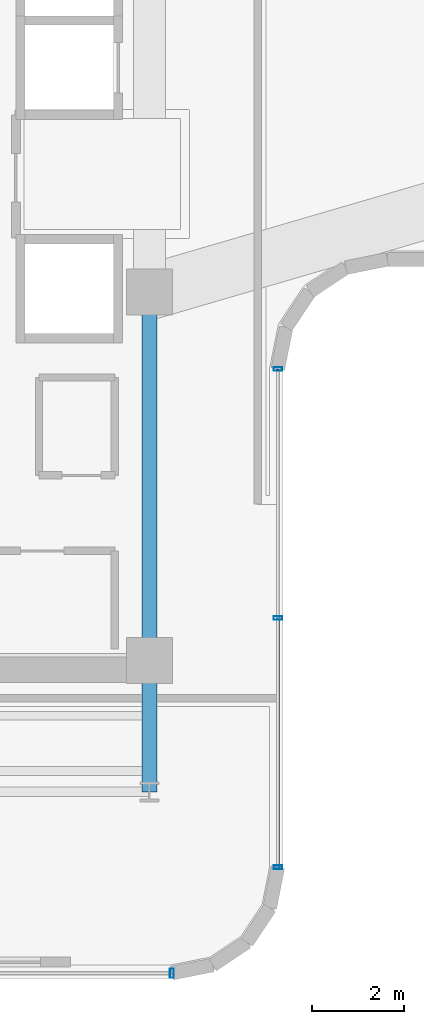
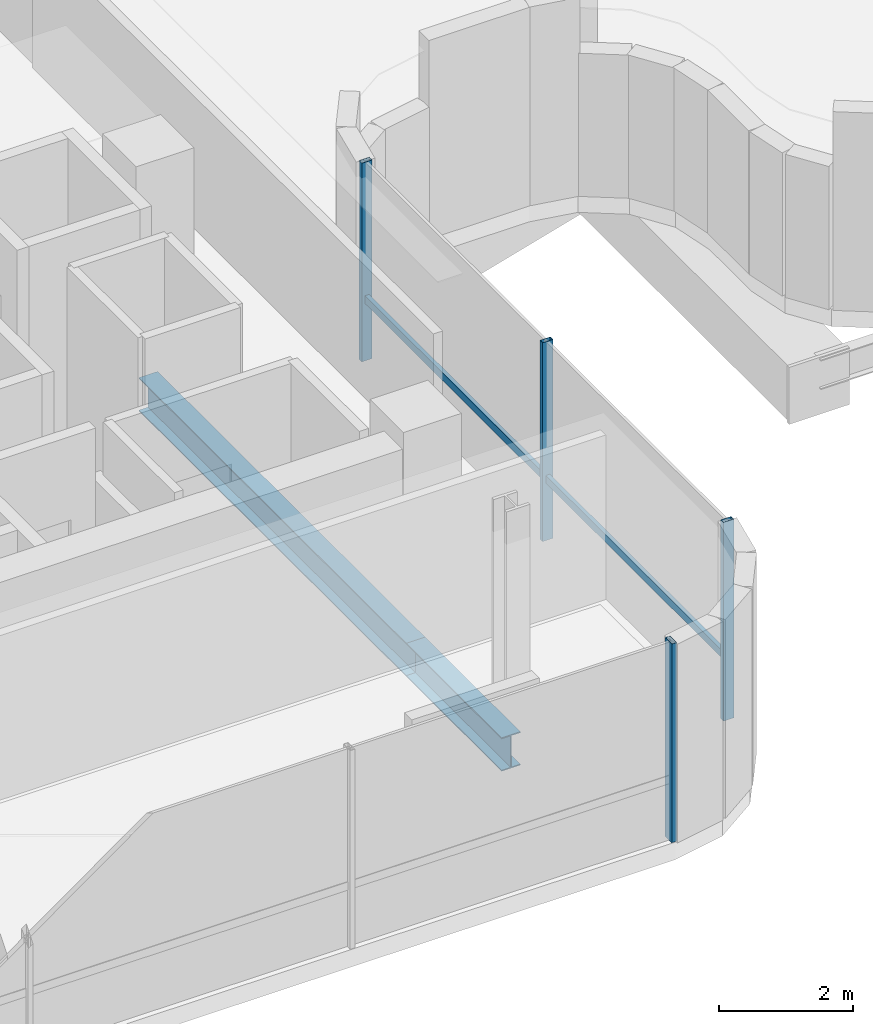
# One storey, part 5 of 38: 5 members, 2 beams, 2 elements without a shape of their own.
"""IFC4 building model written with IfcOpenShell, lengths in metres."""

from ifc_helpers import new_model, si_unit, direction, frame, origin, origin_2d, place, context, subcontext, project, spatial, hollow_rectangle, i_section, extrude, source, transform, mapped, material, material_profile, profile_set, type_object, element, aggregate, save


model = new_model("IFC4")

# Units and contexts
model_context = context("Model", 3, precision=1e-05, world=origin(), true_north=direction((0.0, 1.0)))
body_context = subcontext(model_context, "Body", "Model", "MODEL_VIEW")
ifc_project = project(units=[si_unit("LENGTHUNIT", "METRE"), si_unit("AREAUNIT", "SQUARE_METRE"), si_unit("VOLUMEUNIT", "CUBIC_METRE"), si_unit("PLANEANGLEUNIT", "RADIAN"), si_unit("MASSUNIT", "GRAM", prefix="KILO")], contexts=[model_context])

# Site, building, storey
site_placement = place(None, origin())
site = spatial("IfcSite", under=ifc_project, at=site_placement, CompositionType="ELEMENT")
building_placement = place(site_placement, origin())
building = spatial("IfcBuilding", under=site, at=building_placement, Name="Valdorenza Pilgrim Sanctuary Tower", CompositionType="ELEMENT")
storey_placement = place(building_placement, frame((0.0, 0.0, 180.5)))
storey = spatial("IfcBuildingStorey", under=building, at=storey_placement, Name="L46", CompositionType="ELEMENT", Elevation=180.5)

# Beams
ifc_material_1 = material(Name="Steel ASTM A992 Grade 50", Category="steel")
ifc_material_profile_1 = material_profile(ifc_material_1, i_section(OverallWidth=0.323974609375, OverallDepth=0.611083984375, WebThickness=0.0126953125, FlangeThickness=0.01904296875, at=origin_2d()), Name="W24X104")
ifc_profile_set_1 = profile_set([ifc_material_profile_1], Name="Steel ASTM A992 Grade 50")
beam_type = type_object("IfcBeamType", Name="STR-BM-GRD-W24B", PredefinedType="BEAM", material=ifc_profile_set_1)
shared_shape_1 = source(origin(), body_context, "Body", "SweptSolid", [
    extrude(i_section(OverallWidth=0.323974609375, OverallDepth=0.611083984375, WebThickness=0.0126953125, FlangeThickness=0.01904296875, at=origin_2d()), origin(), (0.0, 0.0, 1.0), 8.0),
])
beam_1_placement = place(storey_placement, frame((-12.39990234375, -10.60009765625, -0.62548828125), z_axis=(0.0, 1.0, 0.0), x_axis=(-1.0, 0.0, 0.0)))
element("IfcBeam", 1, at=beam_1_placement, inside=storey, type_object=beam_type, Name="L46 Core Tie Girder CA-E-S1M0", PredefinedType="BEAM", context=body_context, shape_type="MappedRepresentation", body=[
    mapped(shared_shape_1, transform((0.0, 0.0, 0.0), x_axis=(1.0, 0.0, 0.0), y_axis=(0.0, 1.0, 0.0), z_axis=(0.0, 0.0, 1.0), scale=1.0)),
])
shared_shape_2 = source(origin(), body_context, "Body", "SweptSolid", [
    extrude(i_section(OverallWidth=0.323974609375, OverallDepth=0.611083984375, WebThickness=0.0126953125, FlangeThickness=0.01904296875, at=origin_2d()), origin(), (0.0, 0.0, 1.0), 2.849853515625),
])
beam_2_placement = place(storey_placement, frame((-12.39990234375, -13.449951171875, -0.62548828125), z_axis=(0.0, 1.0, 0.0), x_axis=(-1.0, 0.0, 0.0)))
element("IfcBeam", 2, at=beam_2_placement, inside=storey, type_object=beam_type, Name="L46 Floor Girder WA-S-LE", PredefinedType="BEAM", context=body_context, shape_type="MappedRepresentation", body=[
    mapped(shared_shape_2, transform((0.0, 0.0, 0.0), x_axis=(1.0, 0.0, 0.0), y_axis=(0.0, 1.0, 0.0), z_axis=(0.0, 0.0, 1.0), scale=1.0)),
])

# Curtain wall, member
ifc_material_2 = material(Name="Curtain-wall IGU glazing", Category="glass")
curtain_wall_type_1 = type_object("IfcCurtainWallType", Name="CW-SYS-05", PredefinedType="NOTDEFINED", material=ifc_material_2)
curtain_wall_1_placement = place(storey_placement, origin())
curtain_wall_1 = element("IfcCurtainWall", 3, at=curtain_wall_1_placement, inside=storey, type_object=curtain_wall_type_1, Name="L46 Curtain Wall CW-L46-1-77", PredefinedType="NOTDEFINED")
ifc_material_3 = material(Name="Anodised aluminium AW-6060", Category="aluminium")
ifc_material_profile_2 = material_profile(ifc_material_3, hollow_rectangle(XDim=0.070068359375, YDim=0.139892578125, WallThickness=0.00341796875, at=origin_2d()), Name="ALU-T 140x70x3.5")
ifc_profile_set_2 = profile_set([ifc_material_profile_2], Name="Anodised aluminium AW-6060")
member_type_1 = type_object("IfcMemberType", Name="CW-TRN-05", PredefinedType="USERDEFINED", material=ifc_profile_set_2)
shared_shape_3 = source(origin(), body_context, "Body", "SweptSolid", [
    extrude(hollow_rectangle(XDim=0.070068359375, YDim=0.139892578125, WallThickness=0.00341796875, at=origin_2d()), origin(), (0.0, 0.0, 1.0), 10.81982421875),
])
member_1_placement = place(storey_placement, frame((-9.610107421875, -4.269287109375, 1.1201171875), z_axis=(0.0, -1.0, 0.0), x_axis=(1.0, 0.0, 0.0)))
member_1 = element("IfcMember", 4, at=member_1_placement, type_object=member_type_1, Name="CW-L46-1-77 Transom 1", ObjectType="TRANSOM", PredefinedType="USERDEFINED", context=body_context, shape_type="MappedRepresentation", body=[
    mapped(shared_shape_3, transform((0.0, 0.0, 0.0), x_axis=(1.0, 0.0, 0.0), y_axis=(0.0, 1.0, 0.0), z_axis=(0.0, 0.0, 1.0), scale=1.0)),
])

curtain_wall_type_2 = type_object("IfcCurtainWallType", Name="CW-SYS-02", PredefinedType="NOTDEFINED", material=ifc_material_2)
curtain_wall_2_placement = place(storey_placement, origin())
curtain_wall_2 = element("IfcCurtainWall", 5, at=curtain_wall_2_placement, inside=storey, type_object=curtain_wall_type_2, Name="L46 Curtain Wall CW-L46-1-82", PredefinedType="NOTDEFINED")
ifc_material_profile_3 = material_profile(ifc_material_3, hollow_rectangle(XDim=0.0849609375, YDim=0.199951171875, WallThickness=0.0048828125, at=origin_2d()), Name="ALU-M 200x85x5")
ifc_profile_set_3 = profile_set([ifc_material_profile_3], Name="Anodised aluminium AW-6060")
member_type_2 = type_object("IfcMemberType", Name="CW-MUL-02", PredefinedType="MULLION", material=ifc_profile_set_3)
shared_shape_4 = source(origin(), body_context, "Body", "SweptSolid", [
    extrude(hollow_rectangle(XDim=0.0849609375, YDim=0.199951171875, WallThickness=0.0048828125, at=origin_2d()), origin(), (0.0, 0.0, 1.0), 3.6298828125),
])
member_2_placement = place(storey_placement, frame((-11.910888671875, -17.389892578125, 0.0), z_axis=(0.0, 0.0, 1.0), x_axis=(-1.0, 0.0, 0.0)))
member_2 = element("IfcMember", 6, at=member_2_placement, type_object=member_type_2, Name="CW-L46-1-82 Mullion 1", PredefinedType="MULLION", context=body_context, shape_type="MappedRepresentation", body=[
    mapped(shared_shape_4, transform((0.0, 0.0, 0.0), x_axis=(1.0, 0.0, 0.0), y_axis=(0.0, 1.0, 0.0), z_axis=(0.0, 0.0, 1.0), scale=1.0)),
])
aggregate(curtain_wall_2, [member_2])

# Member
ifc_material_profile_4 = material_profile(ifc_material_3, hollow_rectangle(XDim=0.080078125, YDim=0.179931640625, WallThickness=0.00439453125, at=origin_2d()), Name="ALU-M 180x80x4.5")
ifc_profile_set_4 = profile_set([ifc_material_profile_4], Name="Anodised aluminium AW-6060")
member_type_3 = type_object("IfcMemberType", Name="CW-MUL-05", PredefinedType="MULLION", material=ifc_profile_set_4)
shared_shape_5 = source(origin(), body_context, "Body", "SweptSolid", [
    extrude(hollow_rectangle(XDim=0.080078125, YDim=0.179931640625, WallThickness=0.00439453125, at=origin_2d()), origin(), (0.0, 0.0, 1.0), 3.6298828125),
])
member_3_placement = place(storey_placement, frame((-9.610107421875, -4.269287109375, 0.0), z_axis=(0.0, 0.0, 1.0), x_axis=(0.0, -1.0, 0.0)))
member_3 = element("IfcMember", 7, at=member_3_placement, type_object=member_type_3, Name="CW-L46-1-77 Mullion 1", PredefinedType="MULLION", context=body_context, shape_type="MappedRepresentation", body=[
    mapped(shared_shape_5, transform((0.0, 0.0, 0.0), x_axis=(1.0, 0.0, 0.0), y_axis=(0.0, 1.0, 0.0), z_axis=(0.0, 0.0, 1.0), scale=1.0)),
])

member_4_placement = place(storey_placement, frame((-9.610107421875, -9.67919921875, 0.0), z_axis=(0.0, 0.0, 1.0), x_axis=(0.0, -1.0, 0.0)))
member_4 = element("IfcMember", 8, at=member_4_placement, type_object=member_type_3, Name="CW-L46-1-77 Mullion 2", PredefinedType="MULLION", context=body_context, shape_type="MappedRepresentation", body=[
    mapped(shared_shape_5, transform((0.0, 0.0, 0.0), x_axis=(1.0, 0.0, 0.0), y_axis=(0.0, 1.0, 0.0), z_axis=(0.0, 0.0, 1.0), scale=1.0)),
])

member_5_placement = place(storey_placement, frame((-9.610107421875, -15.089111328125, 0.0), z_axis=(0.0, 0.0, 1.0), x_axis=(0.0, -1.0, 0.0)))
member_5 = element("IfcMember", 9, at=member_5_placement, type_object=member_type_3, Name="CW-L46-1-77 Mullion 3", PredefinedType="MULLION", context=body_context, shape_type="MappedRepresentation", body=[
    mapped(shared_shape_5, transform((0.0, 0.0, 0.0), x_axis=(1.0, 0.0, 0.0), y_axis=(0.0, 1.0, 0.0), z_axis=(0.0, 0.0, 1.0), scale=1.0)),
])

aggregate(curtain_wall_1, [member_3, member_4, member_5, member_1])

save(model, "model.ifc")
